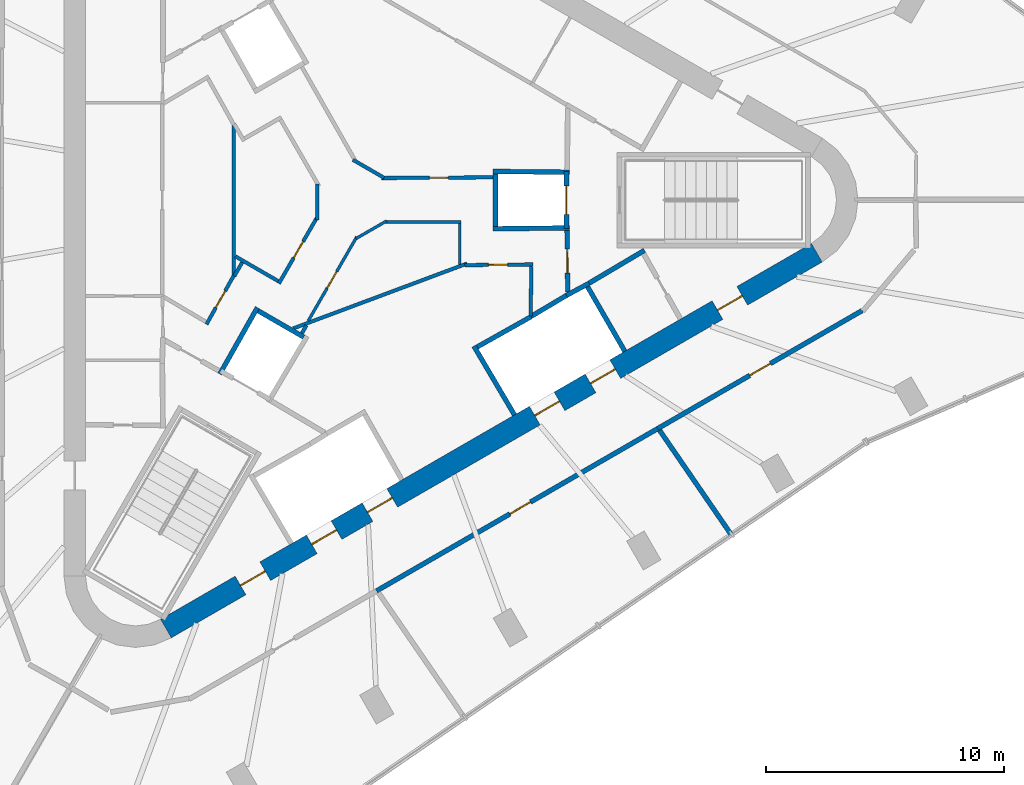
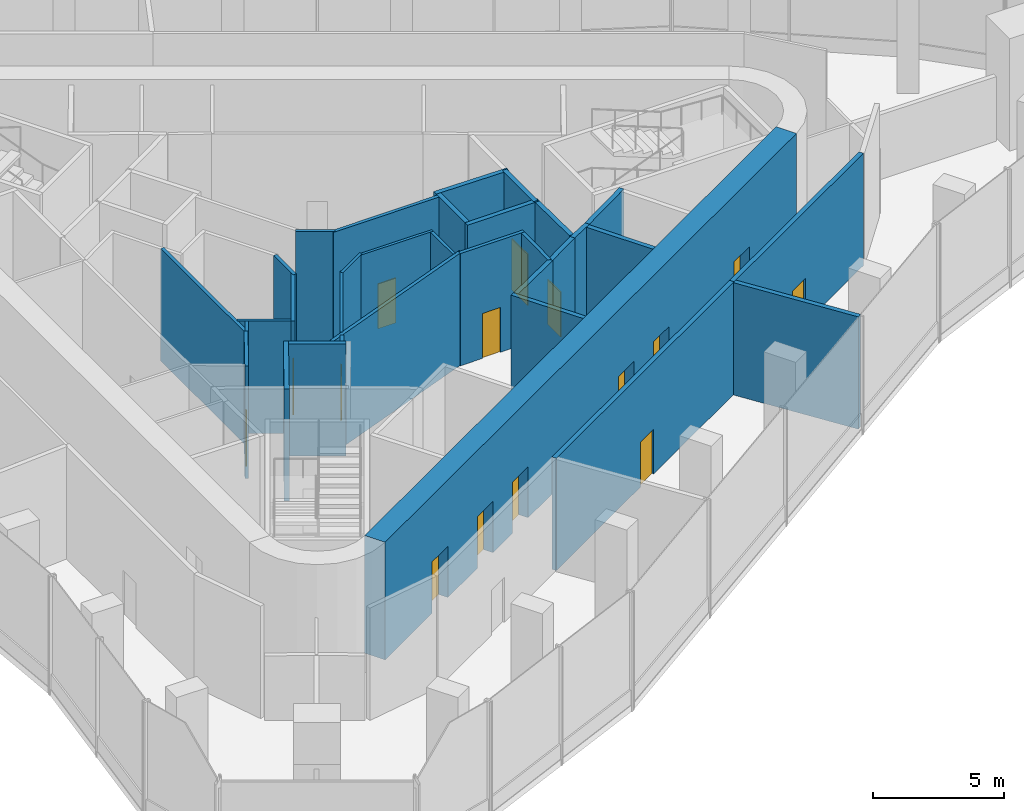
# One storey, part 8 of 13: 33 walls, 15 doors, 15 openings.
"""IFC4 building model written with IfcOpenShell, lengths in metres."""

from ifc_helpers import new_model, si_unit, direction, frame, frame_2d, origin, place, context, subcontext, project, spatial, rectangle, extrude, material, layer, layer_set, type_object, element, fill, save


model = new_model("IFC4")

# Units and contexts
model_context = context("Model", 3, precision=1e-05, world=origin(), true_north=direction((0.0, 1.0)))
body_context = subcontext(model_context, "Body", "Model", "MODEL_VIEW")
ifc_project = project(units=[si_unit("LENGTHUNIT", "METRE"), si_unit("AREAUNIT", "SQUARE_METRE"), si_unit("VOLUMEUNIT", "CUBIC_METRE"), si_unit("PLANEANGLEUNIT", "RADIAN"), si_unit("MASSUNIT", "GRAM", prefix="KILO")], contexts=[model_context])

# Site, building, storey
site_placement = place(None, origin())
site = spatial("IfcSite", under=ifc_project, at=site_placement, CompositionType="ELEMENT")
building_placement = place(site_placement, origin())
building = spatial("IfcBuilding", under=site, at=building_placement, Name="Tanit Gate Tower", CompositionType="ELEMENT")
storey_placement = place(building_placement, frame((0.0, 0.0, 404.800048828125)))
storey = spatial("IfcBuildingStorey", under=building, at=storey_placement, Name="L92", CompositionType="ELEMENT", Elevation=404.800048828125)

# Wall, openings, doors
ifc_material_1 = material(Name="Concrete C40/50", Category="concrete")
ifc_layer_1 = layer(ifc_material_1, 0.89990234375)
ifc_layer_set_1 = layer_set([ifc_layer_1], Name="CORE WALL 900 C40/50")
wall_type_1 = type_object("IfcWallType", Name="CORE WALL 900 C40/50", PredefinedType="SHEAR", material=ifc_layer_set_1)
wall_1_placement = place(storey_placement, frame((-7.824951171875, -17.969970703125, 0.0), z_axis=(0.0, 0.0, 1.0), x_axis=(0.866028369851, 0.499994862586, 0.0)))
wall_1 = element("IfcWall", 1, at=wall_1_placement, inside=storey, type_object=wall_type_1, Name="CORE WALL", PredefinedType="SHEAR", context=body_context, shape_type="SweptSolid", body=[
    extrude(rectangle(XDim=31.523193359375, YDim=0.89990234375, at=frame_2d((15.76171875, 0.0))), origin(), (0.0, 0.0, 1.0), 5.5),
])
opening_1_placement = place(wall_1_placement, frame((7.061767578125, 0.0, 0.0)))
opening_1 = element("IfcOpeningElement", 2, at=opening_1_placement, cuts=wall_1, Name="Opening LDOL1-92", PredefinedType="OPENING", context=body_context, shape_type="SweptSolid", body=[
    extrude(rectangle(XDim=1.199951171875, YDim=2.39990234375, at=frame_2d((0.60009765625, 1.199951171875))), frame((0.0, 0.4599609375, 0.0), z_axis=(0.0, -1.0, 0.0), x_axis=(1.0, 0.0, 0.0)), (0.0, 0.0, 1.0), 0.919921875),
])
opening_2_placement = place(wall_1_placement, frame((9.76171875, 0.0, 0.0)))
opening_2 = element("IfcOpeningElement", 3, at=opening_2_placement, cuts=wall_1, Name="Opening LDOL2-92", PredefinedType="OPENING", context=body_context, shape_type="SweptSolid", body=[
    extrude(rectangle(XDim=1.199951171875, YDim=2.39990234375, at=frame_2d((0.60009765625, 1.199951171875))), frame((0.0, 0.4599609375, 0.0), z_axis=(0.0, -1.0, 0.0), x_axis=(1.0, 0.0, 0.0)), (0.0, 0.0, 1.0), 0.919921875),
])
opening_3_placement = place(wall_1_placement, frame((17.861572265625, 0.0, 0.0)))
opening_3 = element("IfcOpeningElement", 4, at=opening_3_placement, cuts=wall_1, Name="Opening LDSV1-92", PredefinedType="OPENING", context=body_context, shape_type="SweptSolid", body=[
    extrude(rectangle(XDim=1.199951171875, YDim=2.39990234375, at=frame_2d((0.60009765625, 1.199951171875))), frame((0.0, 0.4599609375, 0.0), z_axis=(0.0, -1.0, 0.0), x_axis=(1.0, 0.0, 0.0)), (0.0, 0.0, 1.0), 0.919921875),
])
opening_4_placement = place(wall_1_placement, frame((20.561767578125, 0.0, 0.0)))
opening_4 = element("IfcOpeningElement", 5, at=opening_4_placement, cuts=wall_1, Name="Opening LDSV2-92", PredefinedType="OPENING", context=body_context, shape_type="SweptSolid", body=[
    extrude(rectangle(XDim=1.199951171875, YDim=2.39990234375, at=frame_2d((0.60009765625, 1.199951171875))), frame((0.0, 0.4599609375, 0.0), z_axis=(0.0, -1.0, 0.0), x_axis=(1.0, 0.0, 0.0)), (0.0, 0.0, 1.0), 0.919921875),
])
opening_5_placement = place(wall_1_placement, frame((26.711669921875, 0.0, 0.0)))
opening_5 = element("IfcOpeningElement", 6, at=opening_5_placement, cuts=wall_1, Name="Opening F12-92-S1", PredefinedType="OPENING", context=body_context, shape_type="SweptSolid", body=[
    extrude(rectangle(XDim=1.199951171875, YDim=2.39990234375, at=frame_2d((0.60009765625, 1.199951171875))), frame((0.0, 0.4599609375, 0.0), z_axis=(0.0, -1.0, 0.0), x_axis=(1.0, 0.0, 0.0)), (0.0, 0.0, 1.0), 0.919921875),
])
opening_6_placement = place(wall_1_placement, frame((3.611572265625, 0.0, 0.0)))
opening_6 = element("IfcOpeningElement", 7, at=opening_6_placement, cuts=wall_1, Name="Opening F12-92-FL3", PredefinedType="OPENING", context=body_context, shape_type="SweptSolid", body=[
    extrude(rectangle(XDim=1.199951171875, YDim=2.39990234375, at=frame_2d((0.60009765625, 1.199951171875))), frame((0.0, 0.4599609375, 0.0), z_axis=(0.0, -1.0, 0.0), x_axis=(1.0, 0.0, 0.0)), (0.0, 0.0, 1.0), 0.919921875),
])
ifc_material_2 = material(Name="Fire-rated steel door leaf", Category="steel")
door_type_1 = type_object("IfcDoorType", Name="INT-DOOR-FIRE-LOBBY-1200", OperationType="NOTDEFINED", PredefinedType="USERDEFINED", material=ifc_material_2)
door_1_placement = place(opening_5_placement, origin())
door_1 = element("IfcDoor", 8, at=door_1_placement, inside=storey, type_object=door_type_1, Name="Door F12-92-S1", ObjectType="FIRE DOOR", OperationType="SINGLE_SWING_RIGHT", OverallHeight=2.39990234375, OverallWidth=1.199951171875, PredefinedType="USERDEFINED", context=body_context, shape_type="SweptSolid", body=[
    extrude(rectangle(XDim=1.199951171875, YDim=2.39990234375, at=frame_2d((0.60009765625, 1.199951171875))), frame((0.0, 0.02490234375, 0.0), z_axis=(0.0, -1.0, 0.0), x_axis=(1.0, 0.0, 0.0)), (0.0, 0.0, 1.0), 0.050048828125),
])
fill(opening_5, door_1)
door_2_placement = place(opening_6_placement, origin())
door_2 = element("IfcDoor", 9, at=door_2_placement, inside=storey, type_object=door_type_1, Name="Door F12-92-FL3", ObjectType="FIRE DOOR", OperationType="SINGLE_SWING_RIGHT", OverallHeight=2.39990234375, OverallWidth=1.199951171875, PredefinedType="USERDEFINED", context=body_context, shape_type="SweptSolid", body=[
    extrude(rectangle(XDim=1.199951171875, YDim=2.39990234375, at=frame_2d((0.60009765625, 1.199951171875))), frame((0.0, 0.02490234375, 0.0), z_axis=(0.0, -1.0, 0.0), x_axis=(1.0, 0.0, 0.0)), (0.0, 0.0, 1.0), 0.050048828125),
])
fill(opening_6, door_2)
ifc_material_3 = material(Name="Stainless steel sliding door leaf", Category="steel")
door_type_2 = type_object("IfcDoorType", Name="INT-DOOR-LANDING-1200", OperationType="NOTDEFINED", PredefinedType="USERDEFINED", material=ifc_material_3)
door_3_placement = place(opening_1_placement, origin())
door_3 = element("IfcDoor", 10, at=door_3_placement, inside=storey, type_object=door_type_2, Name="Door LDOL1-92", ObjectType="LANDING DOOR", OperationType="SLIDING_TO_LEFT", OverallHeight=2.39990234375, OverallWidth=1.199951171875, PredefinedType="USERDEFINED", context=body_context, shape_type="SweptSolid", body=[
    extrude(rectangle(XDim=1.199951171875, YDim=2.39990234375, at=frame_2d((0.60009765625, 1.199951171875))), frame((0.0, 0.02490234375, 0.0), z_axis=(0.0, -1.0, 0.0), x_axis=(1.0, 0.0, 0.0)), (0.0, 0.0, 1.0), 0.050048828125),
])
fill(opening_1, door_3)
door_4_placement = place(opening_2_placement, origin())
door_4 = element("IfcDoor", 11, at=door_4_placement, inside=storey, type_object=door_type_2, Name="Door LDOL2-92", ObjectType="LANDING DOOR", OperationType="SLIDING_TO_LEFT", OverallHeight=2.39990234375, OverallWidth=1.199951171875, PredefinedType="USERDEFINED", context=body_context, shape_type="SweptSolid", body=[
    extrude(rectangle(XDim=1.199951171875, YDim=2.39990234375, at=frame_2d((0.60009765625, 1.199951171875))), frame((0.0, 0.02490234375, 0.0), z_axis=(0.0, -1.0, 0.0), x_axis=(1.0, 0.0, 0.0)), (0.0, 0.0, 1.0), 0.050048828125),
])
fill(opening_2, door_4)
door_5_placement = place(opening_3_placement, origin())
door_5 = element("IfcDoor", 12, at=door_5_placement, inside=storey, type_object=door_type_2, Name="Door LDSV1-92", ObjectType="LANDING DOOR", OperationType="SLIDING_TO_LEFT", OverallHeight=2.39990234375, OverallWidth=1.199951171875, PredefinedType="USERDEFINED", context=body_context, shape_type="SweptSolid", body=[
    extrude(rectangle(XDim=1.199951171875, YDim=2.39990234375, at=frame_2d((0.60009765625, 1.199951171875))), frame((0.0, 0.02490234375, 0.0), z_axis=(0.0, -1.0, 0.0), x_axis=(1.0, 0.0, 0.0)), (0.0, 0.0, 1.0), 0.050048828125),
])
fill(opening_3, door_5)
door_6_placement = place(opening_4_placement, origin())
door_6 = element("IfcDoor", 13, at=door_6_placement, inside=storey, type_object=door_type_2, Name="Door LDSV2-92", ObjectType="LANDING DOOR", OperationType="SLIDING_TO_LEFT", OverallHeight=2.39990234375, OverallWidth=1.199951171875, PredefinedType="USERDEFINED", context=body_context, shape_type="SweptSolid", body=[
    extrude(rectangle(XDim=1.199951171875, YDim=2.39990234375, at=frame_2d((0.60009765625, 1.199951171875))), frame((0.0, 0.02490234375, 0.0), z_axis=(0.0, -1.0, 0.0), x_axis=(1.0, 0.0, 0.0)), (0.0, 0.0, 1.0), 0.050048828125),
])
fill(opening_4, door_6)

# Wall
ifc_material_4 = material(Name="Fire-rated gypsum board partition")
ifc_layer_2 = layer(ifc_material_4, 0.199951171875)
ifc_layer_set_2 = layer_set([ifc_layer_2], Name="INT-WALL-COMPARTMENT")
wall_type_2 = type_object("IfcWallType", Name="INT-WALL-COMPARTMENT", PredefinedType="PARTITIONING", material=ifc_layer_set_2)
wall_2_placement = place(storey_placement, frame((12.244873046875, -2.10888671875, 0.0), z_axis=(0.0, 0.0, 1.0), x_axis=(-0.860414880418, -0.509594185166, 0.0)))
element("IfcWall", 14, at=wall_2_placement, inside=storey, type_object=wall_type_2, Name="Wall Compartment W060", PredefinedType="PARTITIONING", context=body_context, shape_type="SweptSolid", body=[
    extrude(rectangle(XDim=2.7001953125, YDim=0.199951171875, at=frame_2d((1.35009765625, 0.0))), origin(), (0.0, 0.0, 1.0), 5.25),
])

# Wall, opening, door
wall_3_placement = place(storey_placement, frame((9.02880859375, -3.850830078125, 0.0), z_axis=(0.0, 0.0, 1.0), x_axis=(-0.010783593937, 0.99994185536, 0.0)))
wall_3 = element("IfcWall", 15, at=wall_3_placement, inside=storey, type_object=wall_type_2, Name="Wall Compartment W063", PredefinedType="PARTITIONING", context=body_context, shape_type="SweptSolid", body=[
    extrude(rectangle(XDim=2.5810546875, YDim=0.199951171875, at=frame_2d((1.29052734375, 0.0))), origin(), (0.0, 0.0, 1.0), 5.25),
])
opening_7_placement = place(wall_3_placement, frame((0.79052734375, 0.0, 0.0)))
opening_7 = element("IfcOpeningElement", 16, at=opening_7_placement, cuts=wall_3, Name="Opening F10-92-02", PredefinedType="OPENING", context=body_context, shape_type="SweptSolid", body=[
    extrude(rectangle(XDim=1.0, YDim=2.10009765625, at=frame_2d((0.5, 1.050048828125))), frame((0.0, 0.10986328125, 0.0), z_axis=(0.0, -1.0, 0.0), x_axis=(1.0, 0.0, 0.0)), (0.0, 0.0, 1.0), 0.219970703125),
])
ifc_material_5 = material(Name="Fire-rated steel door leaf", Category="steel")
door_type_3 = type_object("IfcDoorType", Name="INT-DOOR-FIRE-1000", OperationType="NOTDEFINED", PredefinedType="USERDEFINED", material=ifc_material_5)
door_7_placement = place(opening_7_placement, origin())
door_7 = element("IfcDoor", 17, at=door_7_placement, inside=storey, type_object=door_type_3, Name="Door F10-92-02", ObjectType="FIRE DOOR", OperationType="SINGLE_SWING_RIGHT", OverallHeight=2.10009765625, OverallWidth=1.0, PredefinedType="USERDEFINED", context=body_context, shape_type="SweptSolid", body=[
    extrude(rectangle(XDim=1.0, YDim=2.10009765625, at=frame_2d((0.5, 1.050048828125))), frame((0.0, 0.02490234375, 0.0), z_axis=(0.0, -1.0, 0.0), x_axis=(1.0, 0.0, 0.0)), (0.0, 0.0, 1.0), 0.050048828125),
])
fill(opening_7, door_7)

wall_4_placement = place(storey_placement, frame((1.00927734375, -16.391357421875, 0.0), z_axis=(0.0, 0.0, 1.0), x_axis=(0.866026744585, 0.499997677658, 0.0)))
wall_4 = element("IfcWall", 18, at=wall_4_placement, inside=storey, type_object=wall_type_2, Name="Wall Compartment W124", PredefinedType="PARTITIONING", context=body_context, shape_type="SweptSolid", body=[
    extrude(rectangle(XDim=13.61669921875, YDim=0.199951171875, at=frame_2d((6.808349609375, 0.0))), origin(), (0.0, 0.0, 1.0), 5.25),
])
opening_8_placement = place(wall_4_placement, frame((6.456298828125, 0.0, 0.0)))
opening_8 = element("IfcOpeningElement", 19, at=opening_8_placement, cuts=wall_4, Name="Opening F10-92-33", PredefinedType="OPENING", context=body_context, shape_type="SweptSolid", body=[
    extrude(rectangle(XDim=1.0, YDim=2.10009765625, at=frame_2d((0.5, 1.050048828125))), frame((0.0, 0.10986328125, 0.0), z_axis=(0.0, -1.0, 0.0), x_axis=(1.0, 0.0, 0.0)), (0.0, 0.0, 1.0), 0.219970703125),
])
door_8_placement = place(opening_8_placement, origin())
door_8 = element("IfcDoor", 20, at=door_8_placement, inside=storey, type_object=door_type_3, Name="Door F10-92-33", ObjectType="FIRE DOOR", OperationType="SINGLE_SWING_LEFT", OverallHeight=2.10009765625, OverallWidth=1.0, PredefinedType="USERDEFINED", context=body_context, shape_type="SweptSolid", body=[
    extrude(rectangle(XDim=1.0, YDim=2.10009765625, at=frame_2d((0.5, 1.050048828125))), frame((0.0, 0.02490234375, 0.0), z_axis=(0.0, -1.0, 0.0), x_axis=(1.0, 0.0, 0.0)), (0.0, 0.0, 1.0), 0.050048828125),
])
fill(opening_8, door_8)

wall_5_placement = place(storey_placement, frame((12.8017578125, -9.5830078125, 0.0), z_axis=(0.0, 0.0, 1.0), x_axis=(0.866025905529, 0.499999130952, 0.0)))
wall_5 = element("IfcWall", 21, at=wall_5_placement, inside=storey, type_object=wall_type_2, Name="Wall Compartment W127", PredefinedType="PARTITIONING", context=body_context, shape_type="SweptSolid", body=[
    extrude(rectangle(XDim=9.904296875, YDim=0.199951171875, at=frame_2d((4.9521484375, 0.0))), origin(), (0.0, 0.0, 1.0), 5.25),
])
opening_9_placement = place(wall_5_placement, frame((4.456298828125, 0.0, 0.0)))
opening_9 = element("IfcOpeningElement", 22, at=opening_9_placement, cuts=wall_5, Name="Opening F10-92-34", PredefinedType="OPENING", context=body_context, shape_type="SweptSolid", body=[
    extrude(rectangle(XDim=1.0, YDim=2.10009765625, at=frame_2d((0.5, 1.050048828125))), frame((0.0, 0.10986328125, 0.0), z_axis=(0.0, -1.0, 0.0), x_axis=(1.0, 0.0, 0.0)), (0.0, 0.0, 1.0), 0.219970703125),
])
door_9_placement = place(opening_9_placement, origin())
door_9 = element("IfcDoor", 23, at=door_9_placement, inside=storey, type_object=door_type_3, Name="Door F10-92-34", ObjectType="FIRE DOOR", OperationType="SINGLE_SWING_RIGHT", OverallHeight=2.10009765625, OverallWidth=1.0, PredefinedType="USERDEFINED", context=body_context, shape_type="SweptSolid", body=[
    extrude(rectangle(XDim=1.0, YDim=2.10009765625, at=frame_2d((0.5, 1.050048828125))), frame((0.0, 0.02490234375, 0.0), z_axis=(0.0, -1.0, 0.0), x_axis=(1.0, 0.0, 0.0)), (0.0, 0.0, 1.0), 0.050048828125),
])
fill(opening_9, door_9)

# Wall
wall_6_placement = place(storey_placement, frame((12.879150390625, -9.65380859375, 0.0), z_axis=(0.0, 0.0, 1.0), x_axis=(0.565899563161, -0.824474186627, 0.0)))
element("IfcWall", 24, at=wall_6_placement, inside=storey, type_object=wall_type_2, Name="Wall Compartment W129", PredefinedType="PARTITIONING", context=body_context, shape_type="SweptSolid", body=[
    extrude(rectangle(XDim=5.303466796875, YDim=0.199951171875, at=frame_2d((2.65185546875, 0.0))), origin(), (0.0, 0.0, 1.0), 5.25),
])

# Wall, opening, door
ifc_material_6 = material(Name="Gypsum board partition")
ifc_layer_3 = layer(ifc_material_6, 0.1201171875)
ifc_layer_set_3 = layer_set([ifc_layer_3], Name="INT-WALL-PARTITION")
wall_type_3 = type_object("IfcWallType", Name="INT-WALL-PARTITION", PredefinedType="PARTITIONING", material=ifc_layer_set_3)
wall_7_placement = place(storey_placement, frame((0.181884765625, -1.534912109375, 0.0), z_axis=(0.0, 0.0, 1.0), x_axis=(-0.499988401207, -0.866032100247, 0.0)))
wall_7 = element("IfcWall", 25, at=wall_7_placement, inside=storey, type_object=wall_type_3, Name="Wall Partition W072", PredefinedType="PARTITIONING", context=body_context, shape_type="SweptSolid", body=[
    extrude(rectangle(XDim=4.0791015625, YDim=0.1201171875, at=frame_2d((2.03955078125, 0.0))), origin(), (0.0, 0.0, 1.0), 5.25),
])
opening_10_placement = place(wall_7_placement, frame((1.69140625, 0.0, 0.0)))
opening_10 = element("IfcOpeningElement", 26, at=opening_10_placement, cuts=wall_7, Name="Opening R08-92-11", PredefinedType="OPENING", context=body_context, shape_type="SweptSolid", body=[
    extrude(rectangle(XDim=0.800048828125, YDim=2.10009765625, at=frame_2d((0.39990234375, 1.050048828125))), frame((0.0, 0.070068359375, 0.0), z_axis=(0.0, -1.0, 0.0), x_axis=(1.0, 0.0, 0.0)), (0.0, 0.0, 1.0), 0.14013671875),
])
ifc_material_7 = material(Name="Timber door leaf", Category="wood")
door_type_4 = type_object("IfcDoorType", Name="INT-DOOR-RISER-800", OperationType="NOTDEFINED", PredefinedType="USERDEFINED", material=ifc_material_7)
door_10_placement = place(opening_10_placement, origin())
door_10 = element("IfcDoor", 27, at=door_10_placement, inside=storey, type_object=door_type_4, Name="Door R08-92-11", ObjectType="FIRE DOOR", OperationType="SINGLE_SWING_RIGHT", OverallHeight=2.10009765625, OverallWidth=0.800048828125, PredefinedType="USERDEFINED", context=body_context, shape_type="SweptSolid", body=[
    extrude(rectangle(XDim=0.800048828125, YDim=2.10009765625, at=frame_2d((0.39990234375, 1.050048828125))), frame((0.0, 0.02490234375, 0.0), z_axis=(0.0, -1.0, 0.0), x_axis=(1.0, 0.0, 0.0)), (0.0, 0.0, 1.0), 0.050048828125),
])
fill(opening_10, door_10)

# Walls
wall_8_placement = place(storey_placement, frame((1.432373046875, -0.873046875, 0.0), z_axis=(0.0, 0.0, 1.0), x_axis=(-0.866029572143, -0.499992780121, 0.0)))
element("IfcWall", 28, at=wall_8_placement, inside=storey, type_object=wall_type_3, Name="Wall Partition W073", PredefinedType="PARTITIONING", context=body_context, shape_type="SweptSolid", body=[
    extrude(rectangle(XDim=1.4853515625, YDim=0.1201171875, at=frame_2d((0.74267578125, 0.0))), origin(), (0.0, 0.0, 1.0), 5.25),
])
wall_9_placement = place(storey_placement, frame((4.56005859375, -0.925048828125, 0.0), z_axis=(0.0, 0.0, 1.0), x_axis=(-1.0, 0.0, 0.0)))
element("IfcWall", 29, at=wall_9_placement, inside=storey, type_object=wall_type_3, Name="Wall Partition W074", PredefinedType="PARTITIONING", context=body_context, shape_type="SweptSolid", body=[
    extrude(rectangle(XDim=3.19921875, YDim=0.1201171875, at=frame_2d((1.599609375, 0.0))), origin(), (0.0, 0.0, 1.0), 5.25),
])
wall_10_placement = place(storey_placement, frame((4.5, -2.699951171875, 0.0), z_axis=(0.0, 0.0, 1.0), x_axis=(0.0, 1.0, 0.0)))
element("IfcWall", 30, at=wall_10_placement, inside=storey, type_object=wall_type_3, Name="Wall Partition W075", PredefinedType="PARTITIONING", context=body_context, shape_type="SweptSolid", body=[
    extrude(rectangle(XDim=1.71484375, YDim=0.1201171875, at=frame_2d((0.857421875, 0.0))), origin(), (0.0, 0.0, 1.0), 5.25),
])

# Wall, opening, door
ifc_material_8 = material(Name="Fire-rated gypsum board partition")
ifc_layer_4 = layer(ifc_material_8, 0.14990234375)
ifc_layer_set_4 = layer_set([ifc_layer_4], Name="INT-WALL-RISER")
wall_type_4 = type_object("IfcWallType", Name="INT-WALL-RISER", PredefinedType="PLUMBINGWALL", material=ifc_layer_set_4)
wall_11_placement = place(storey_placement, frame((1.21435546875, 0.924072265625, 0.0), z_axis=(0.0, 0.0, 1.0), x_axis=(0.999979796062, 0.006356686907, 0.0)))
wall_11 = element("IfcWall", 31, at=wall_11_placement, inside=storey, type_object=wall_type_4, Name="Wall Riser W068", PredefinedType="PLUMBINGWALL", context=body_context, shape_type="SweptSolid", body=[
    extrude(rectangle(XDim=4.685546875, YDim=0.14990234375, at=frame_2d((2.3427734375, 0.0))), origin(), (0.0, 0.0, 1.0), 5.25),
])
opening_11_placement = place(wall_11_placement, frame((2.0068359375, 0.0, 0.0)))
opening_11 = element("IfcOpeningElement", 32, at=opening_11_placement, cuts=wall_11, Name="Opening R08-92-10", PredefinedType="OPENING", context=body_context, shape_type="SweptSolid", body=[
    extrude(rectangle(XDim=0.800048828125, YDim=2.10009765625, at=frame_2d((0.39990234375, 1.050048828125))), frame((0.0, 0.0849609375, 0.0), z_axis=(0.0, -1.0, 0.0), x_axis=(1.0, 0.0, 0.0)), (0.0, 0.0, 1.0), 0.169921875),
])
door_11_placement = place(opening_11_placement, origin())
door_11 = element("IfcDoor", 33, at=door_11_placement, inside=storey, type_object=door_type_4, Name="Door R08-92-10", ObjectType="FIRE DOOR", OperationType="SINGLE_SWING_RIGHT", OverallHeight=2.10009765625, OverallWidth=0.800048828125, PredefinedType="USERDEFINED", context=body_context, shape_type="SweptSolid", body=[
    extrude(rectangle(XDim=0.800048828125, YDim=2.10009765625, at=frame_2d((0.39990234375, 1.050048828125))), frame((0.0, 0.02490234375, 0.0), z_axis=(0.0, -1.0, 0.0), x_axis=(1.0, 0.0, 0.0)), (0.0, 0.0, 1.0), 0.050048828125),
])
fill(opening_11, door_11)

# Walls
wall_12_placement = place(storey_placement, frame((0.01904296875, 1.68896484375, 0.0), z_axis=(0.0, 0.0, 1.0), x_axis=(0.866047774678, -0.499961250474, 0.0)))
element("IfcWall", 34, at=wall_12_placement, inside=storey, type_object=wall_type_4, Name="Wall Riser W069", PredefinedType="PLUMBINGWALL", context=body_context, shape_type="SweptSolid", body=[
    extrude(rectangle(XDim=1.50439453125, YDim=0.14990234375, at=frame_2d((0.752197265625, 0.0))), origin(), (0.0, 0.0, 1.0), 5.25),
])
wall_13_placement = place(storey_placement, frame((4.80712890625, -2.658935546875, 0.0), z_axis=(0.0, 0.0, 1.0), x_axis=(-0.936818342118, -0.349816228714, 0.0)))
element("IfcWall", 35, at=wall_13_placement, inside=storey, type_object=wall_type_4, Name="Wall Riser W071", PredefinedType="PLUMBINGWALL", context=body_context, shape_type="SweptSolid", body=[
    extrude(rectangle(XDim=7.779541015625, YDim=0.14990234375, at=frame_2d((3.8896484375, 0.0))), origin(), (0.0, 0.0, 1.0), 5.25),
])
wall_14_placement = place(storey_placement, frame((-1.93212890625, -5.255615234375, 0.0), z_axis=(0.0, 0.0, 1.0), x_axis=(-0.499777709171, -0.866153705422, 0.0)))
element("IfcWall", 36, at=wall_14_placement, inside=storey, type_object=wall_type_4, Name="Wall Riser W076", PredefinedType="PLUMBINGWALL", context=body_context, shape_type="SweptSolid", body=[
    extrude(rectangle(XDim=0.382568359375, YDim=0.14990234375, at=frame_2d((0.19140625, 0.0))), origin(), (0.0, 0.0, 1.0), 5.25),
])

# Wall, opening, door
wall_15_placement = place(storey_placement, frame((7.574951171875, -2.69921875, 0.0), z_axis=(0.0, 0.0, 1.0), x_axis=(-0.999947791603, -0.010218320275, 0.0)))
wall_15 = element("IfcWall", 37, at=wall_15_placement, inside=storey, type_object=wall_type_4, Name="Wall Riser W077", PredefinedType="PLUMBINGWALL", context=body_context, shape_type="SweptSolid", body=[
    extrude(rectangle(XDim=2.8671875, YDim=0.14990234375, at=frame_2d((1.43359375, 0.0))), origin(), (0.0, 0.0, 1.0), 5.25),
])
opening_12_placement = place(wall_15_placement, frame((1.071044921875, 0.0, 0.0)))
opening_12 = element("IfcOpeningElement", 38, at=opening_12_placement, cuts=wall_15, Name="Opening R08-92-12", PredefinedType="OPENING", context=body_context, shape_type="SweptSolid", body=[
    extrude(rectangle(XDim=0.800048828125, YDim=2.10009765625, at=frame_2d((0.39990234375, 1.050048828125))), frame((0.0, 0.0849609375, 0.0), z_axis=(0.0, -1.0, 0.0), x_axis=(1.0, 0.0, 0.0)), (0.0, 0.0, 1.0), 0.169921875),
])
door_12_placement = place(opening_12_placement, origin())
door_12 = element("IfcDoor", 39, at=door_12_placement, inside=storey, type_object=door_type_4, Name="Door R08-92-12", ObjectType="FIRE DOOR", OperationType="SINGLE_SWING_RIGHT", OverallHeight=2.10009765625, OverallWidth=0.800048828125, PredefinedType="USERDEFINED", context=body_context, shape_type="SweptSolid", body=[
    extrude(rectangle(XDim=0.800048828125, YDim=2.10009765625, at=frame_2d((0.39990234375, 1.050048828125))), frame((0.0, 0.02490234375, 0.0), z_axis=(0.0, -1.0, 0.0), x_axis=(1.0, 0.0, 0.0)), (0.0, 0.0, 1.0), 0.050048828125),
])
fill(opening_12, door_12)

# Walls
wall_16_placement = place(storey_placement, frame((7.474609375, -4.864501953125, 0.0), z_axis=(0.0, 0.0, 1.0), x_axis=(0.011682810534, 0.99993175364, 0.0)))
element("IfcWall", 40, at=wall_16_placement, inside=storey, type_object=wall_type_4, Name="Wall Riser W078", PredefinedType="PLUMBINGWALL", context=body_context, shape_type="SweptSolid", body=[
    extrude(rectangle(XDim=2.08984375, YDim=0.14990234375, at=frame_2d((1.044921875, 0.0))), origin(), (0.0, 0.0, 1.0), 5.25),
])
wall_17_placement = place(storey_placement, frame((-4.985107421875, -3.234619140625, 0.0), z_axis=(0.0, 0.0, 1.0), x_axis=(0.0, 1.0, 0.0)))
element("IfcWall", 41, at=wall_17_placement, inside=storey, type_object=wall_type_4, Name="Wall Riser W079", PredefinedType="PLUMBINGWALL", context=body_context, shape_type="SweptSolid", body=[
    extrude(rectangle(XDim=6.46923828125, YDim=0.14990234375, at=frame_2d((3.234619140625, 0.0))), origin(), (0.0, 0.0, 1.0), 5.25),
])

# Wall, opening, door
wall_18_placement = place(storey_placement, frame((-6.125, -5.210693359375, 0.0), z_axis=(0.0, 0.0, 1.0), x_axis=(0.488762436737, 0.87241691893, 0.0)))
wall_18 = element("IfcWall", 42, at=wall_18_placement, inside=storey, type_object=wall_type_4, Name="Wall Riser W080", PredefinedType="PLUMBINGWALL", context=body_context, shape_type="SweptSolid", body=[
    extrude(rectangle(XDim=2.336669921875, YDim=0.14990234375, at=frame_2d((1.16845703125, 0.0))), origin(), (0.0, 0.0, 1.0), 5.25),
])
opening_13_placement = place(wall_18_placement, frame((0.805908203125, 0.0, 0.0)))
opening_13 = element("IfcOpeningElement", 43, at=opening_13_placement, cuts=wall_18, Name="Opening R08-92-13", PredefinedType="OPENING", context=body_context, shape_type="SweptSolid", body=[
    extrude(rectangle(XDim=0.800048828125, YDim=2.10009765625, at=frame_2d((0.39990234375, 1.050048828125))), frame((0.0, 0.0849609375, 0.0), z_axis=(0.0, -1.0, 0.0), x_axis=(1.0, 0.0, 0.0)), (0.0, 0.0, 1.0), 0.169921875),
])
door_13_placement = place(opening_13_placement, origin())
door_13 = element("IfcDoor", 44, at=door_13_placement, inside=storey, type_object=door_type_4, Name="Door R08-92-13", ObjectType="FIRE DOOR", OperationType="SINGLE_SWING_LEFT", OverallHeight=2.10009765625, OverallWidth=0.800048828125, PredefinedType="USERDEFINED", context=body_context, shape_type="SweptSolid", body=[
    extrude(rectangle(XDim=0.800048828125, YDim=2.10009765625, at=frame_2d((0.39990234375, 1.050048828125))), frame((0.0, 0.02490234375, 0.0), z_axis=(0.0, -1.0, 0.0), x_axis=(1.0, 0.0, 0.0)), (0.0, 0.0, 1.0), 0.050048828125),
])
fill(opening_13, door_13)

# Wall
wall_19_placement = place(storey_placement, frame((-1.47216796875, -0.829833984375, 0.0), z_axis=(0.0, 0.0, 1.0), x_axis=(0.0, 1.0, 0.0)))
element("IfcWall", 45, at=wall_19_placement, inside=storey, type_object=wall_type_4, Name="Wall Riser W087", PredefinedType="PLUMBINGWALL", context=body_context, shape_type="SweptSolid", body=[
    extrude(rectangle(XDim=1.506591796875, YDim=0.14990234375, at=frame_2d((0.75341796875, 0.0))), origin(), (0.0, 0.0, 1.0), 5.25),
])

# Wall, opening, door
wall_20_placement = place(storey_placement, frame((-3.088623046875, -3.49951171875, 0.0), z_axis=(0.0, 0.0, 1.0), x_axis=(0.500025362525, 0.866010760229, 0.0)))
wall_20 = element("IfcWall", 46, at=wall_20_placement, inside=storey, type_object=wall_type_4, Name="Wall Riser W088", PredefinedType="PLUMBINGWALL", context=body_context, shape_type="SweptSolid", body=[
    extrude(rectangle(XDim=3.209228515625, YDim=0.14990234375, at=frame_2d((1.6044921875, 0.0))), origin(), (0.0, 0.0, 1.0), 5.25),
])
opening_14_placement = place(wall_20_placement, frame((1.2421875, 0.0, 0.0)))
opening_14 = element("IfcOpeningElement", 47, at=opening_14_placement, cuts=wall_20, Name="Opening R08-92-14", PredefinedType="OPENING", context=body_context, shape_type="SweptSolid", body=[
    extrude(rectangle(XDim=0.800048828125, YDim=2.10009765625, at=frame_2d((0.39990234375, 1.050048828125))), frame((0.0, 0.0849609375, 0.0), z_axis=(0.0, -1.0, 0.0), x_axis=(1.0, 0.0, 0.0)), (0.0, 0.0, 1.0), 0.169921875),
])
door_14_placement = place(opening_14_placement, origin())
door_14 = element("IfcDoor", 48, at=door_14_placement, inside=storey, type_object=door_type_4, Name="Door R08-92-14", ObjectType="FIRE DOOR", OperationType="SINGLE_SWING_LEFT", OverallHeight=2.10009765625, OverallWidth=0.800048828125, PredefinedType="USERDEFINED", context=body_context, shape_type="SweptSolid", body=[
    extrude(rectangle(XDim=0.800048828125, YDim=2.10009765625, at=frame_2d((0.39990234375, 1.050048828125))), frame((0.0, 0.02490234375, 0.0), z_axis=(0.0, -1.0, 0.0), x_axis=(1.0, 0.0, 0.0)), (0.0, 0.0, 1.0), 0.050048828125),
])
fill(opening_14, door_14)

# Walls
wall_21_placement = place(storey_placement, frame((-4.91015625, -2.361328125, 0.0), z_axis=(0.0, 0.0, 1.0), x_axis=(0.866022705876, -0.500004672885, 0.0)))
element("IfcWall", 49, at=wall_21_placement, inside=storey, type_object=wall_type_4, Name="Wall Riser W089", PredefinedType="PLUMBINGWALL", context=body_context, shape_type="SweptSolid", body=[
    extrude(rectangle(XDim=2.07177734375, YDim=0.14990234375, at=frame_2d((1.035888671875, 0.0))), origin(), (0.0, 0.0, 1.0), 5.25),
])
wall_22_placement = place(storey_placement, frame((-4.957275390625, -3.1865234375, 0.0), z_axis=(0.0, 0.0, 1.0), x_axis=(0.499860530385, 0.866105911632, 0.0)))
element("IfcWall", 50, at=wall_22_placement, inside=storey, type_object=wall_type_4, Name="Wall Riser W090", PredefinedType="PLUMBINGWALL", context=body_context, shape_type="SweptSolid", body=[
    extrude(rectangle(XDim=0.663330078125, YDim=0.14990234375, at=frame_2d((0.33154296875, 0.0))), origin(), (0.0, 0.0, 1.0), 5.25),
])
ifc_material_9 = material(Name="Gypsum shaft wall system")
ifc_layer_5 = layer(ifc_material_9, 0.199951171875)
ifc_layer_set_5 = layer_set([ifc_layer_5], Name="INT-WALL-SHAFT")
wall_type_5 = type_object("IfcWallType", Name="INT-WALL-SHAFT", PredefinedType="PLUMBINGWALL", material=ifc_layer_set_5)
wall_23_placement = place(storey_placement, frame((6.795166015625, -9.009521484375, 0.0), z_axis=(0.0, 0.0, 1.0), x_axis=(-0.507997497166, 0.861358544901, 0.0)))
element("IfcWall", 51, at=wall_23_placement, inside=storey, type_object=wall_type_5, Name="Wall Shaft W006", PredefinedType="PLUMBINGWALL", context=body_context, shape_type="SweptSolid", body=[
    extrude(rectangle(XDim=3.350341796875, YDim=0.199951171875, at=frame_2d((1.67529296875, 0.0))), origin(), (0.0, 0.0, 1.0), 5.25),
])
wall_24_placement = place(storey_placement, frame((5.231201171875, -6.160888671875, 0.0), z_axis=(0.0, 0.0, 1.0), x_axis=(0.871540428464, 0.4903236498, 0.0)))
element("IfcWall", 52, at=wall_24_placement, inside=storey, type_object=wall_type_5, Name="Wall Shaft W007", PredefinedType="PLUMBINGWALL", context=body_context, shape_type="SweptSolid", body=[
    extrude(rectangle(XDim=2.60009765625, YDim=0.199951171875, at=frame_2d((1.300048828125, 0.0))), origin(), (0.0, 0.0, 1.0), 5.25),
])
wall_25_placement = place(storey_placement, frame((9.794677734375, -3.52490234375, 0.0), z_axis=(0.0, 0.0, 1.0), x_axis=(0.499984717929, -0.866034226713, 0.0)))
element("IfcWall", 53, at=wall_25_placement, inside=storey, type_object=wall_type_5, Name="Wall Shaft W008", PredefinedType="PLUMBINGWALL", context=body_context, shape_type="SweptSolid", body=[
    extrude(rectangle(XDim=3.25, YDim=0.199951171875, at=frame_2d((1.625, 0.0))), origin(), (0.0, 0.0, 1.0), 5.25),
])
wall_26_placement = place(storey_placement, frame((8.97412109375, -3.998779296875, 0.0), z_axis=(0.0, 0.0, 1.0), x_axis=(0.880907015104, 0.473289373154, 0.0)))
element("IfcWall", 54, at=wall_26_placement, inside=storey, type_object=wall_type_5, Name="Wall Shaft W009", PredefinedType="PLUMBINGWALL", context=body_context, shape_type="SweptSolid", body=[
    extrude(rectangle(XDim=1.078125, YDim=0.199951171875, at=frame_2d((0.5390625, 0.0))), origin(), (0.0, 0.0, 1.0), 5.25),
])
wall_27_placement = place(storey_placement, frame((7.4931640625, -4.87841796875, 0.0), z_axis=(0.0, 0.0, 1.0), x_axis=(0.859981807212, 0.510324691999, 0.0)))
element("IfcWall", 55, at=wall_27_placement, inside=storey, type_object=wall_type_5, Name="Wall Shaft W010", PredefinedType="PLUMBINGWALL", context=body_context, shape_type="SweptSolid", body=[
    extrude(rectangle(XDim=1.8447265625, YDim=0.199951171875, at=frame_2d((0.92236328125, 0.0))), origin(), (0.0, 0.0, 1.0), 5.25),
])

# Wall, opening, door
wall_28_placement = place(storey_placement, frame((8.969970703125, 1.199951171875, 0.0), z_axis=(0.0, 0.0, 1.0), x_axis=(0.0, -1.0, 0.0)))
wall_28 = element("IfcWall", 56, at=wall_28_placement, inside=storey, type_object=wall_type_5, Name="Wall Shaft W015", PredefinedType="PLUMBINGWALL", context=body_context, shape_type="SweptSolid", body=[
    extrude(rectangle(XDim=2.39990234375, YDim=0.199951171875, at=frame_2d((1.199951171875, 0.0))), origin(), (0.0, 0.0, 1.0), 5.25),
])
opening_15_placement = place(wall_28_placement, frame((0.60009765625, 0.0, 0.0)))
opening_15 = element("IfcOpeningElement", 57, at=opening_15_placement, cuts=wall_28, Name="Opening LDFL1-L92", PredefinedType="OPENING", context=body_context, shape_type="SweptSolid", body=[
    extrude(rectangle(XDim=1.199951171875, YDim=2.39990234375, at=frame_2d((0.60009765625, 1.199951171875))), frame((0.0, 0.10986328125, 0.0), z_axis=(0.0, -1.0, 0.0), x_axis=(1.0, 0.0, 0.0)), (0.0, 0.0, 1.0), 0.219970703125),
])
door_15_placement = place(opening_15_placement, origin())
door_15 = element("IfcDoor", 58, at=door_15_placement, inside=storey, type_object=door_type_2, Name="Door LDFL1-L92", ObjectType="LANDING DOOR", OperationType="SLIDING_TO_LEFT", OverallHeight=2.39990234375, OverallWidth=1.199951171875, PredefinedType="USERDEFINED", context=body_context, shape_type="SweptSolid", body=[
    extrude(rectangle(XDim=1.199951171875, YDim=2.39990234375, at=frame_2d((0.60009765625, 1.199951171875))), frame((0.0, 0.02490234375, 0.0), z_axis=(0.0, -1.0, 0.0), x_axis=(1.0, 0.0, 0.0)), (0.0, 0.0, 1.0), 0.050048828125),
])
fill(opening_15, door_15)

# Walls
wall_29_placement = place(storey_placement, frame((6.0, -1.10009765625, 0.0), z_axis=(0.0, 0.0, 1.0), x_axis=(0.0, 1.0, 0.0)))
element("IfcWall", 59, at=wall_29_placement, inside=storey, type_object=wall_type_5, Name="Wall Shaft W019", PredefinedType="PLUMBINGWALL", context=body_context, shape_type="SweptSolid", body=[
    extrude(rectangle(XDim=2.2001953125, YDim=0.199951171875, at=frame_2d((1.10009765625, 0.0))), origin(), (0.0, 0.0, 1.0), 5.25),
])
for number, where, z_axis, x_axis, name in (
    (60, (5.89990234375, 1.200927734375, 0.0), (0.0, 0.0, 1.0), (0.999950064753, -0.009993397809, 0.0), "Wall Shaft W017"),
    (61, (5.89990234375, -1.200927734375, 0.0), (0.0, 0.0, 1.0), (0.999950064753, 0.009993397809, 0.0), "Wall Shaft W018"),
):
    element("IfcWall", number, at=place(storey_placement, frame(where, z_axis=z_axis, x_axis=x_axis)), inside=storey, type_object=wall_type_5, Name=name, PredefinedType="PLUMBINGWALL", context=body_context, shape_type="SweptSolid", body=[
        extrude(rectangle(XDim=3.200439453125, YDim=0.199951171875, at=frame_2d((1.60009765625, 0.0))), origin(), (0.0, 0.0, 1.0), 5.25),
    ])
wall_30_placement = place(storey_placement, frame((-3.95263671875, -4.646240234375, 0.0), z_axis=(0.0, 0.0, 1.0), x_axis=(0.86605622881, -0.499946605688, 0.0)))
element("IfcWall", 62, at=wall_30_placement, inside=storey, type_object=wall_type_5, Name="Wall Shaft W037", PredefinedType="PLUMBINGWALL", context=body_context, shape_type="SweptSolid", body=[
    extrude(rectangle(XDim=2.199951171875, YDim=0.199951171875, at=frame_2d((1.10009765625, 0.0))), origin(), (0.0, 0.0, 1.0), 5.25),
])
wall_31_placement = place(storey_placement, frame((-3.989990234375, -4.509033203125, 0.0), z_axis=(0.0, 0.0, 1.0), x_axis=(-0.491358283181, -0.870957540612, 0.0)))
element("IfcWall", 63, at=wall_31_placement, inside=storey, type_object=wall_type_5, Name="Wall Shaft W036", PredefinedType="PLUMBINGWALL", context=body_context, shape_type="SweptSolid", body=[
    extrude(rectangle(XDim=3.200439453125, YDim=0.199951171875, at=frame_2d((1.60009765625, 0.0))), origin(), (0.0, 0.0, 1.0), 5.25),
])

save(model, "model.ifc")
